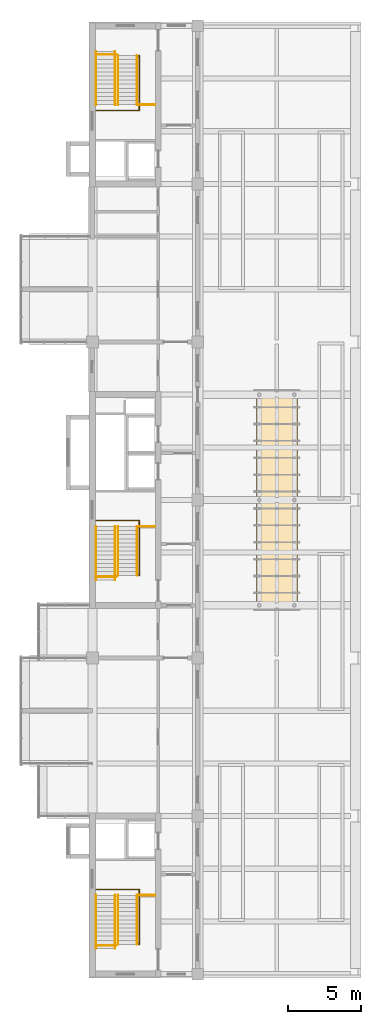
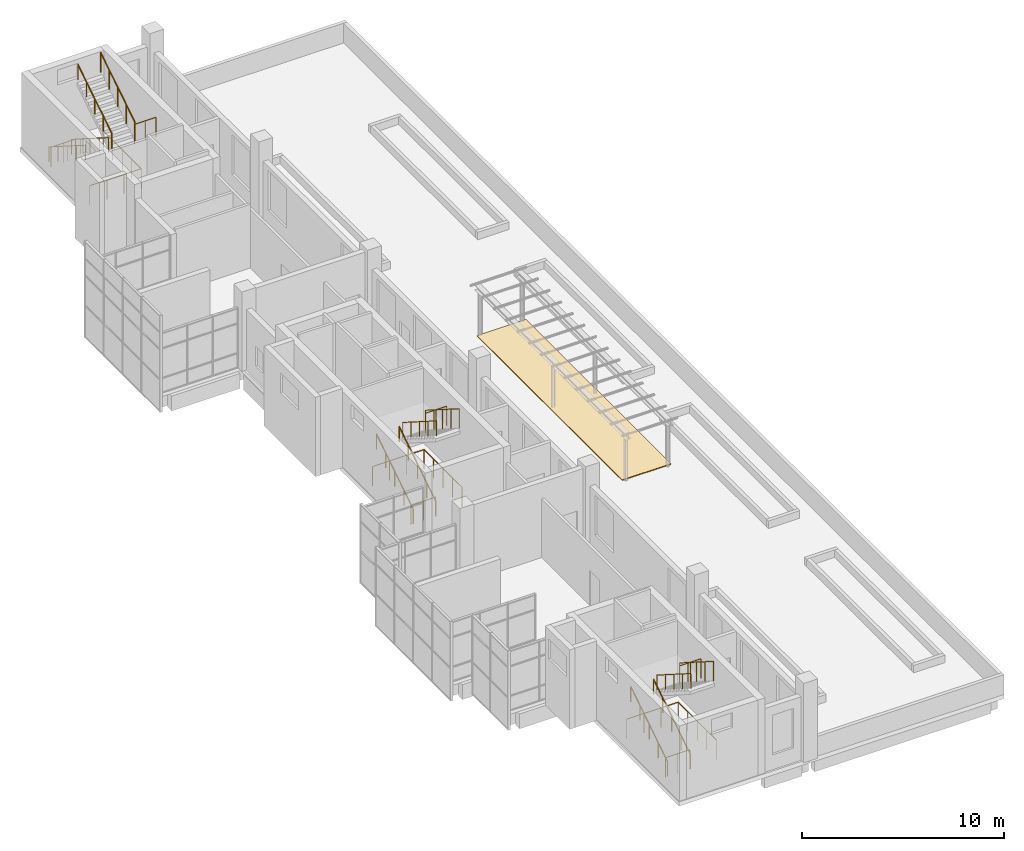
# One storey, part 16 of 16: 21 railings, 1 covering.
"""IFC4 building model written with IfcOpenShell, lengths in metres."""

from ifc_helpers import new_model, si_unit, direction, frame, origin, origin_2d, place, context, subcontext, project, spatial, polyline, circle, outline, extrude, material, layer, layer_set, type_object, element, save


model = new_model("IFC4")

# Units and contexts
model_context = context("Model", 3, precision=1e-05, world=origin(), true_north=direction((0.0, 1.0)))
body_context = subcontext(model_context, "Body", "Model", "MODEL_VIEW")
ifc_project = project(units=[si_unit("LENGTHUNIT", "METRE"), si_unit("AREAUNIT", "SQUARE_METRE"), si_unit("VOLUMEUNIT", "CUBIC_METRE"), si_unit("PLANEANGLEUNIT", "RADIAN"), si_unit("MASSUNIT", "GRAM", prefix="KILO")], contexts=[model_context])

# Site, building, storey
site_placement = place(None, origin())
site = spatial("IfcSite", under=ifc_project, at=site_placement, CompositionType="ELEMENT")
building_placement = place(site_placement, origin())
building = spatial("IfcBuilding", under=site, at=building_placement, Name="Basin Gate Institute", CompositionType="ELEMENT")
storey_placement = place(building_placement, frame((0.0, 0.0, 65.39990234375)))
storey = spatial("IfcBuildingStorey", under=building, at=storey_placement, Name="L13", CompositionType="ELEMENT", Elevation=65.39990234375)

# Covering
ifc_material_1 = material(Name="Concrete paving slabs", Category="concrete")
ifc_layer = layer(ifc_material_1, 0.050048828125)
ifc_layer_set = layer_set([ifc_layer], Name="Concrete paving slabs")
covering_type = type_object("IfcCoveringType", Name="Roof paving PV2", PredefinedType="FLOORING", material=ifc_layer_set)
covering_placement = place(storey_placement, origin())
element("IfcCovering", 1, at=covering_placement, inside=storey, type_object=covering_type, material=ifc_layer_set, Name="Roof paving W seating zone", PredefinedType="FLOORING", context=body_context, shape_type="SweptSolid", body=[
    extrude(outline(polyline([(72.39990234375, 60.300048828125), (75.199951171875, 60.300048828125), (75.199951171875, 74.699951171875), (72.39990234375, 74.699951171875), (72.39990234375, 60.300048828125)])), origin(), (0.0, 0.0, 1.0), 0.050048828125),
])

# Railings
ifc_material_2 = material(Name="Stainless steel", Category="steel")
railing_type_1 = type_object("IfcRailingType", Name="Stair guard GR2", PredefinedType="GUARDRAIL", material=ifc_material_2)
railing_1_placement = place(storey_placement, frame((64.39990234375, 37.1298828125, 0.0)))
element("IfcRailing", 2, at=railing_1_placement, inside=storey, type_object=railing_type_1, material=ifc_material_2, Name="Stair guard GR2 WS GD3-L12", PredefinedType="GUARDRAIL", context=body_context, shape_type="SweptSolid", body=[
    extrude(circle(Radius=0.02392578125, at=origin_2d()), frame((0.0, 0.0, 1.17578125), z_axis=(0.0, 1.0, 0.0), x_axis=(-1.0, 0.0, 0.0)), (0.0, 0.0, 1.0), 3.760009765625),
    extrude(circle(Radius=0.02392578125, at=origin_2d()), frame((0.0, 3.760009765625, 1.17578125), z_axis=(-1.0, 0.0, 0.0), x_axis=(0.0, -1.0, 0.0)), (0.0, 0.0, 1.0), 2.949951171875),
    extrude(circle(Radius=0.02099609375, at=origin_2d()), origin(), (0.0, 0.0, 1.0), 1.15185546875),
    extrude(circle(Radius=0.02099609375, at=origin_2d()), frame((0.0, 0.93994140625, 0.0)), (0.0, 0.0, 1.0), 1.15185546875),
    extrude(circle(Radius=0.02099609375, at=origin_2d()), frame((0.0, 1.8798828125, 0.0)), (0.0, 0.0, 1.0), 1.15185546875),
    extrude(circle(Radius=0.02099609375, at=origin_2d()), frame((0.0, 2.820068359375, 0.0)), (0.0, 0.0, 1.0), 1.15185546875),
    extrude(circle(Radius=0.02099609375, at=origin_2d()), frame((0.0, 3.760009765625, 0.0)), (0.0, 0.0, 1.0), 1.15185546875),
    extrude(circle(Radius=0.02099609375, at=origin_2d()), frame((-0.9833984375, 3.760009765625, 0.0)), (0.0, 0.0, 1.0), 1.15185546875),
    extrude(circle(Radius=0.02099609375, at=origin_2d()), frame((-1.966552734375, 3.760009765625, 0.0)), (0.0, 0.0, 1.0), 1.15185546875),
    extrude(circle(Radius=0.02099609375, at=origin_2d()), frame((-2.949951171875, 3.760009765625, 0.0)), (0.0, 0.0, 1.0), 1.15185546875),
])
railing_2_placement = place(storey_placement, frame((61.449951171875, 37.050048828125, 0.0)))
element("IfcRailing", 3, at=railing_2_placement, inside=storey, type_object=railing_type_1, material=ifc_material_2, Name="Stair guard GR2 WS GD4-L12", PredefinedType="GUARDRAIL", context=body_context, shape_type="SweptSolid", body=[
    extrude(circle(Radius=0.02392578125, at=origin_2d()), frame((0.0, 0.0, 1.17578125), z_axis=(1.0, 0.0, 0.0), x_axis=(0.0, 1.0, 0.0)), (0.0, 0.0, 1.0), 1.400146484375),
    extrude(circle(Radius=0.02099609375, at=origin_2d()), origin(), (0.0, 0.0, 1.0), 1.15185546875),
    extrude(circle(Radius=0.02099609375, at=origin_2d()), frame((0.7001953125, 0.0, 0.0)), (0.0, 0.0, 1.0), 1.15185546875),
    extrude(circle(Radius=0.02099609375, at=origin_2d()), frame((1.400146484375, 0.0, 0.0)), (0.0, 0.0, 1.0), 1.15185546875),
])
railing_3_placement = place(storey_placement, frame((64.39990234375, 62.330078125, 0.0)))
element("IfcRailing", 4, at=railing_3_placement, inside=storey, type_object=railing_type_1, material=ifc_material_2, Name="Stair guard GR2 WM GD3-L12", PredefinedType="GUARDRAIL", context=body_context, shape_type="SweptSolid", body=[
    extrude(circle(Radius=0.02392578125, at=origin_2d()), frame((0.0, 0.0, 1.17578125), z_axis=(0.0, 1.0, 0.0), x_axis=(-1.0, 0.0, 0.0)), (0.0, 0.0, 1.0), 3.760009765625),
    extrude(circle(Radius=0.02392578125, at=origin_2d()), frame((0.0, 3.760009765625, 1.17578125), z_axis=(-1.0, 0.0, 0.0), x_axis=(0.0, -1.0, 0.0)), (0.0, 0.0, 1.0), 2.949951171875),
    extrude(circle(Radius=0.02099609375, at=origin_2d()), origin(), (0.0, 0.0, 1.0), 1.15185546875),
    extrude(circle(Radius=0.02099609375, at=origin_2d()), frame((0.0, 0.93994140625, 0.0)), (0.0, 0.0, 1.0), 1.15185546875),
    extrude(circle(Radius=0.02099609375, at=origin_2d()), frame((0.0, 1.8798828125, 0.0)), (0.0, 0.0, 1.0), 1.15185546875),
    extrude(circle(Radius=0.02099609375, at=origin_2d()), frame((0.0, 2.820068359375, 0.0)), (0.0, 0.0, 1.0), 1.15185546875),
    extrude(circle(Radius=0.02099609375, at=origin_2d()), frame((0.0, 3.760009765625, 0.0)), (0.0, 0.0, 1.0), 1.15185546875),
    extrude(circle(Radius=0.02099609375, at=origin_2d()), frame((-0.9833984375, 3.760009765625, 0.0)), (0.0, 0.0, 1.0), 1.15185546875),
    extrude(circle(Radius=0.02099609375, at=origin_2d()), frame((-1.966552734375, 3.760009765625, 0.0)), (0.0, 0.0, 1.0), 1.15185546875),
    extrude(circle(Radius=0.02099609375, at=origin_2d()), frame((-2.949951171875, 3.760009765625, 0.0)), (0.0, 0.0, 1.0), 1.15185546875),
])
railing_4_placement = place(storey_placement, frame((61.449951171875, 62.25, 0.0)))
element("IfcRailing", 5, at=railing_4_placement, inside=storey, type_object=railing_type_1, material=ifc_material_2, Name="Stair guard GR2 WM GD4-L12", PredefinedType="GUARDRAIL", context=body_context, shape_type="SweptSolid", body=[
    extrude(circle(Radius=0.02392578125, at=origin_2d()), frame((0.0, 0.0, 1.17578125), z_axis=(1.0, 0.0, 0.0), x_axis=(0.0, 1.0, 0.0)), (0.0, 0.0, 1.0), 1.400146484375),
    extrude(circle(Radius=0.02099609375, at=origin_2d()), origin(), (0.0, 0.0, 1.0), 1.15185546875),
    extrude(circle(Radius=0.02099609375, at=origin_2d()), frame((0.7001953125, 0.0, 0.0)), (0.0, 0.0, 1.0), 1.15185546875),
    extrude(circle(Radius=0.02099609375, at=origin_2d()), frame((1.400146484375, 0.0, 0.0)), (0.0, 0.0, 1.0), 1.15185546875),
])
railing_5_placement = place(storey_placement, frame((64.39990234375, 97.8701171875, 0.0)))
element("IfcRailing", 6, at=railing_5_placement, inside=storey, type_object=railing_type_1, material=ifc_material_2, Name="Stair guard GR2 WN GD3-L12", PredefinedType="GUARDRAIL", context=body_context, shape_type="SweptSolid", body=[
    extrude(circle(Radius=0.02392578125, at=origin_2d()), frame((0.0, 0.0, 1.17578125), z_axis=(0.0, -1.0, 0.0), x_axis=(1.0, 0.0, 0.0)), (0.0, 0.0, 1.0), 3.760009765625),
    extrude(circle(Radius=0.02392578125, at=origin_2d()), frame((0.0, -3.760009765625, 1.17578125), z_axis=(-1.0, 0.0, 0.0), x_axis=(0.0, -1.0, 0.0)), (0.0, 0.0, 1.0), 2.949951171875),
    extrude(circle(Radius=0.02099609375, at=origin_2d()), origin(), (0.0, 0.0, 1.0), 1.15185546875),
    extrude(circle(Radius=0.02099609375, at=origin_2d()), frame((0.0, -0.93994140625, 0.0)), (0.0, 0.0, 1.0), 1.15185546875),
    extrude(circle(Radius=0.02099609375, at=origin_2d()), frame((0.0, -1.8798828125, 0.0)), (0.0, 0.0, 1.0), 1.15185546875),
    extrude(circle(Radius=0.02099609375, at=origin_2d()), frame((0.0, -2.820068359375, 0.0)), (0.0, 0.0, 1.0), 1.15185546875),
    extrude(circle(Radius=0.02099609375, at=origin_2d()), frame((0.0, -3.760009765625, 0.0)), (0.0, 0.0, 1.0), 1.15185546875),
    extrude(circle(Radius=0.02099609375, at=origin_2d()), frame((-0.9833984375, -3.760009765625, 0.0)), (0.0, 0.0, 1.0), 1.15185546875),
    extrude(circle(Radius=0.02099609375, at=origin_2d()), frame((-1.966552734375, -3.760009765625, 0.0)), (0.0, 0.0, 1.0), 1.15185546875),
    extrude(circle(Radius=0.02099609375, at=origin_2d()), frame((-2.949951171875, -3.760009765625, 0.0)), (0.0, 0.0, 1.0), 1.15185546875),
])
railing_6_placement = place(storey_placement, frame((61.449951171875, 97.949951171875, 0.0)))
element("IfcRailing", 7, at=railing_6_placement, inside=storey, type_object=railing_type_1, material=ifc_material_2, Name="Stair guard GR2 WN GD4-L12", PredefinedType="GUARDRAIL", context=body_context, shape_type="SweptSolid", body=[
    extrude(circle(Radius=0.02392578125, at=origin_2d()), frame((0.0, 0.0, 1.17578125), z_axis=(1.0, 0.0, 0.0), x_axis=(0.0, 1.0, 0.0)), (0.0, 0.0, 1.0), 1.400146484375),
    extrude(circle(Radius=0.02099609375, at=origin_2d()), origin(), (0.0, 0.0, 1.0), 1.15185546875),
    extrude(circle(Radius=0.02099609375, at=origin_2d()), frame((0.7001953125, 0.0, 0.0)), (0.0, 0.0, 1.0), 1.15185546875),
    extrude(circle(Radius=0.02099609375, at=origin_2d()), frame((1.400146484375, 0.0, 0.0)), (0.0, 0.0, 1.0), 1.15185546875),
])
railing_7_placement = place(storey_placement, frame((64.25, 40.489990234375, 2.666748046875)))
element("IfcRailing", 8, at=railing_7_placement, inside=storey, type_object=railing_type_1, material=ifc_material_2, Name="Stair guard GR2 WS GD1", PredefinedType="GUARDRAIL", context=body_context, shape_type="SweptSolid", body=[
    extrude(circle(Radius=0.02392578125, at=origin_2d()), frame((0.0, 0.0, 1.17578125), z_axis=(0.0, -0.844224270207, 0.535990094679), x_axis=(1.0, 0.0, 0.0)), (0.0, 0.0, 1.0), 3.980224609375),
    extrude(circle(Radius=0.02099609375, at=origin_2d()), origin(), (0.0, 0.0, 1.0), 1.15185546875),
    extrude(circle(Radius=0.02099609375, at=origin_2d()), frame((0.0, -0.840087890625, 0.533203125)), (0.0, 0.0, 1.0), 1.15185546875),
    extrude(circle(Radius=0.02099609375, at=origin_2d()), frame((0.0, -1.68017578125, 1.066650390625)), (0.0, 0.0, 1.0), 1.15185546875),
    extrude(circle(Radius=0.02099609375, at=origin_2d()), frame((0.0, -2.52001953125, 1.60009765625)), (0.0, 0.0, 1.0), 1.15185546875),
    extrude(circle(Radius=0.02099609375, at=origin_2d()), frame((0.0, -3.360107421875, 2.13330078125)), (0.0, 0.0, 1.0), 1.15185546875),
])
railing_8_placement = place(storey_placement, frame((64.25, 40.489990234375, 2.489013671875)))
element("IfcRailing", 9, at=railing_8_placement, inside=storey, type_object=railing_type_1, material=ifc_material_2, Name="Stair guard GR2 WS GD2", PredefinedType="GUARDRAIL", context=body_context, shape_type="SweptSolid", body=[
    extrude(circle(Radius=0.02392578125, at=origin_2d()), frame((0.0, 0.0, 1.17578125), z_axis=(1.0, 0.0, 0.0), x_axis=(0.0, 1.0, 0.0)), (0.0, 0.0, 1.0), 1.219970703125),
    extrude(circle(Radius=0.02099609375, at=origin_2d()), origin(), (0.0, 0.0, 1.0), 1.15185546875),
    extrude(circle(Radius=0.02099609375, at=origin_2d()), frame((0.60986328125, 0.0, 0.0)), (0.0, 0.0, 1.0), 1.15185546875),
    extrude(circle(Radius=0.02099609375, at=origin_2d()), frame((1.219970703125, 0.0, 0.0)), (0.0, 0.0, 1.0), 1.15185546875),
])
railing_9_placement = place(storey_placement, frame((64.25, 65.68994140625, 2.666748046875)))
element("IfcRailing", 10, at=railing_9_placement, inside=storey, type_object=railing_type_1, material=ifc_material_2, Name="Stair guard GR2 WM GD1", PredefinedType="GUARDRAIL", context=body_context, shape_type="SweptSolid", body=[
    extrude(circle(Radius=0.02392578125, at=origin_2d()), frame((0.0, 0.0, 1.17578125), z_axis=(0.0, -0.844206646714, 0.536017851983), x_axis=(1.0, 0.0, 0.0)), (0.0, 0.0, 1.0), 3.97998046875),
    extrude(circle(Radius=0.02099609375, at=origin_2d()), origin(), (0.0, 0.0, 1.0), 1.15185546875),
    extrude(circle(Radius=0.02099609375, at=origin_2d()), frame((0.0, -0.83984375, 0.533203125)), (0.0, 0.0, 1.0), 1.15185546875),
    extrude(circle(Radius=0.02099609375, at=origin_2d()), frame((0.0, -1.679931640625, 1.066650390625)), (0.0, 0.0, 1.0), 1.15185546875),
    extrude(circle(Radius=0.02099609375, at=origin_2d()), frame((0.0, -2.52001953125, 1.60009765625)), (0.0, 0.0, 1.0), 1.15185546875),
    extrude(circle(Radius=0.02099609375, at=origin_2d()), frame((0.0, -3.35986328125, 2.13330078125)), (0.0, 0.0, 1.0), 1.15185546875),
])
railing_10_placement = place(storey_placement, frame((64.25, 65.68994140625, 2.489013671875)))
element("IfcRailing", 11, at=railing_10_placement, inside=storey, type_object=railing_type_1, material=ifc_material_2, Name="Stair guard GR2 WM GD2", PredefinedType="GUARDRAIL", context=body_context, shape_type="SweptSolid", body=[
    extrude(circle(Radius=0.02392578125, at=origin_2d()), frame((0.0, 0.0, 1.17578125), z_axis=(1.0, 0.0, 0.0), x_axis=(0.0, 1.0, 0.0)), (0.0, 0.0, 1.0), 1.219970703125),
    extrude(circle(Radius=0.02099609375, at=origin_2d()), origin(), (0.0, 0.0, 1.0), 1.15185546875),
    extrude(circle(Radius=0.02099609375, at=origin_2d()), frame((0.60986328125, 0.0, 0.0)), (0.0, 0.0, 1.0), 1.15185546875),
    extrude(circle(Radius=0.02099609375, at=origin_2d()), frame((1.219970703125, 0.0, 0.0)), (0.0, 0.0, 1.0), 1.15185546875),
])
railing_11_placement = place(storey_placement, frame((64.25, 94.510009765625, 2.666748046875)))
element("IfcRailing", 12, at=railing_11_placement, inside=storey, type_object=railing_type_1, material=ifc_material_2, Name="Stair guard GR2 WN GD1", PredefinedType="GUARDRAIL", context=body_context, shape_type="SweptSolid", body=[
    extrude(circle(Radius=0.02392578125, at=origin_2d()), frame((0.0, 0.0, 1.17578125), z_axis=(0.0, 0.844224270207, 0.535990094679), x_axis=(-1.0, 0.0, 0.0)), (0.0, 0.0, 1.0), 3.980224609375),
    extrude(circle(Radius=0.02099609375, at=origin_2d()), origin(), (0.0, 0.0, 1.0), 1.15185546875),
    extrude(circle(Radius=0.02099609375, at=origin_2d()), frame((0.0, 0.840087890625, 0.533203125)), (0.0, 0.0, 1.0), 1.15185546875),
    extrude(circle(Radius=0.02099609375, at=origin_2d()), frame((0.0, 1.68017578125, 1.066650390625)), (0.0, 0.0, 1.0), 1.15185546875),
    extrude(circle(Radius=0.02099609375, at=origin_2d()), frame((0.0, 2.52001953125, 1.60009765625)), (0.0, 0.0, 1.0), 1.15185546875),
    extrude(circle(Radius=0.02099609375, at=origin_2d()), frame((0.0, 3.360107421875, 2.13330078125)), (0.0, 0.0, 1.0), 1.15185546875),
])
railing_12_placement = place(storey_placement, frame((64.25, 94.510009765625, 2.489013671875)))
element("IfcRailing", 13, at=railing_12_placement, inside=storey, type_object=railing_type_1, material=ifc_material_2, Name="Stair guard GR2 WN GD2", PredefinedType="GUARDRAIL", context=body_context, shape_type="SweptSolid", body=[
    extrude(circle(Radius=0.02392578125, at=origin_2d()), frame((0.0, 0.0, 1.17578125), z_axis=(1.0, 0.0, 0.0), x_axis=(0.0, 1.0, 0.0)), (0.0, 0.0, 1.0), 1.219970703125),
    extrude(circle(Radius=0.02099609375, at=origin_2d()), origin(), (0.0, 0.0, 1.0), 1.15185546875),
    extrude(circle(Radius=0.02099609375, at=origin_2d()), frame((0.60986328125, 0.0, 0.0)), (0.0, 0.0, 1.0), 1.15185546875),
    extrude(circle(Radius=0.02099609375, at=origin_2d()), frame((1.219970703125, 0.0, 0.0)), (0.0, 0.0, 1.0), 1.15185546875),
])
ifc_material_3 = material(Name="Stainless steel", Category="steel")
railing_type_2 = type_object("IfcRailingType", Name="Stair handrail HR1", PredefinedType="HANDRAIL", material=ifc_material_3)
for number, where, name in (
    (14, (61.449951171875, 36.85009765625, 0.177978515625), "Stair handrail HR1 WS HR1"),
    (15, (62.75, 36.85009765625, 0.177978515625), "Stair handrail HR1 WS HR2"),
):
    element("IfcRailing", number, at=place(storey_placement, frame(where)), inside=storey, type_object=railing_type_2, material=ifc_material_3, Name=name, PredefinedType="HANDRAIL", context=body_context, shape_type="SweptSolid", body=[
        extrude(circle(Radius=0.02392578125, at=origin_2d()), frame((0.0, 0.0, 0.89599609375), z_axis=(0.0, 0.84421362867, 0.536006855523), x_axis=(-1.0, 0.0, 0.0)), (0.0, 0.0, 1.0), 4.3115234375),
        extrude(circle(Radius=0.02099609375, at=origin_2d()), origin(), (0.0, 0.0, 1.0), 0.871826171875),
        extrude(circle(Radius=0.02099609375, at=origin_2d()), frame((0.0, 0.909912109375, 0.57763671875)), (0.0, 0.0, 1.0), 0.871826171875),
        extrude(circle(Radius=0.02099609375, at=origin_2d()), frame((0.0, 1.81982421875, 1.155517578125)), (0.0, 0.0, 1.0), 0.871826171875),
        extrude(circle(Radius=0.02099609375, at=origin_2d()), frame((0.0, 2.72998046875, 1.7333984375)), (0.0, 0.0, 1.0), 0.871826171875),
        extrude(circle(Radius=0.02099609375, at=origin_2d()), frame((0.0, 3.639892578125, 2.31103515625)), (0.0, 0.0, 1.0), 0.871826171875),
    ])
railing_13_placement = place(storey_placement, frame((62.949951171875, 40.489990234375, 2.666748046875)))
element("IfcRailing", 16, at=railing_13_placement, inside=storey, type_object=railing_type_2, material=ifc_material_3, Name="Stair handrail HR1 WS HR3", PredefinedType="HANDRAIL", context=body_context, shape_type="SweptSolid", body=[
    extrude(circle(Radius=0.02392578125, at=origin_2d()), frame((0.0, 0.0, 0.89599609375), z_axis=(0.0, -0.844224270207, 0.535990094679), x_axis=(1.0, 0.0, 0.0)), (0.0, 0.0, 1.0), 3.980224609375),
    extrude(circle(Radius=0.02099609375, at=origin_2d()), origin(), (0.0, 0.0, 1.0), 0.871826171875),
    extrude(circle(Radius=0.02099609375, at=origin_2d()), frame((0.0, -0.840087890625, 0.533203125)), (0.0, 0.0, 1.0), 0.871826171875),
    extrude(circle(Radius=0.02099609375, at=origin_2d()), frame((0.0, -1.68017578125, 1.066650390625)), (0.0, 0.0, 1.0), 0.871826171875),
    extrude(circle(Radius=0.02099609375, at=origin_2d()), frame((0.0, -2.52001953125, 1.60009765625)), (0.0, 0.0, 1.0), 0.871826171875),
    extrude(circle(Radius=0.02099609375, at=origin_2d()), frame((0.0, -3.360107421875, 2.13330078125)), (0.0, 0.0, 1.0), 0.871826171875),
])
for number, where, name in (
    (17, (61.449951171875, 62.050048828125, 0.177978515625), "Stair handrail HR1 WM HR1"),
    (18, (62.75, 62.050048828125, 0.177978515625), "Stair handrail HR1 WM HR2"),
):
    element("IfcRailing", number, at=place(storey_placement, frame(where)), inside=storey, type_object=railing_type_2, material=ifc_material_3, Name=name, PredefinedType="HANDRAIL", context=body_context, shape_type="SweptSolid", body=[
        extrude(circle(Radius=0.02392578125, at=origin_2d()), frame((0.0, 0.0, 0.89599609375), z_axis=(0.0, 0.84421362867, 0.536006855523), x_axis=(-1.0, 0.0, 0.0)), (0.0, 0.0, 1.0), 4.3115234375),
        extrude(circle(Radius=0.02099609375, at=origin_2d()), origin(), (0.0, 0.0, 1.0), 0.871826171875),
        extrude(circle(Radius=0.02099609375, at=origin_2d()), frame((0.0, 0.909912109375, 0.57763671875)), (0.0, 0.0, 1.0), 0.871826171875),
        extrude(circle(Radius=0.02099609375, at=origin_2d()), frame((0.0, 1.81982421875, 1.155517578125)), (0.0, 0.0, 1.0), 0.871826171875),
        extrude(circle(Radius=0.02099609375, at=origin_2d()), frame((0.0, 2.72998046875, 1.7333984375)), (0.0, 0.0, 1.0), 0.871826171875),
        extrude(circle(Radius=0.02099609375, at=origin_2d()), frame((0.0, 3.639892578125, 2.31103515625)), (0.0, 0.0, 1.0), 0.871826171875),
    ])
railing_14_placement = place(storey_placement, frame((62.949951171875, 65.68994140625, 2.666748046875)))
element("IfcRailing", 19, at=railing_14_placement, inside=storey, type_object=railing_type_2, material=ifc_material_3, Name="Stair handrail HR1 WM HR3", PredefinedType="HANDRAIL", context=body_context, shape_type="SweptSolid", body=[
    extrude(circle(Radius=0.02392578125, at=origin_2d()), frame((0.0, 0.0, 0.89599609375), z_axis=(0.0, -0.844206646714, 0.536017851983), x_axis=(1.0, 0.0, 0.0)), (0.0, 0.0, 1.0), 3.97998046875),
    extrude(circle(Radius=0.02099609375, at=origin_2d()), origin(), (0.0, 0.0, 1.0), 0.871826171875),
    extrude(circle(Radius=0.02099609375, at=origin_2d()), frame((0.0, -0.83984375, 0.533203125)), (0.0, 0.0, 1.0), 0.871826171875),
    extrude(circle(Radius=0.02099609375, at=origin_2d()), frame((0.0, -1.679931640625, 1.066650390625)), (0.0, 0.0, 1.0), 0.871826171875),
    extrude(circle(Radius=0.02099609375, at=origin_2d()), frame((0.0, -2.52001953125, 1.60009765625)), (0.0, 0.0, 1.0), 0.871826171875),
    extrude(circle(Radius=0.02099609375, at=origin_2d()), frame((0.0, -3.35986328125, 2.13330078125)), (0.0, 0.0, 1.0), 0.871826171875),
])
for number, where, name in (
    (20, (61.449951171875, 98.14990234375, 0.177978515625), "Stair handrail HR1 WN HR1"),
    (21, (62.75, 98.14990234375, 0.177978515625), "Stair handrail HR1 WN HR2"),
):
    element("IfcRailing", number, at=place(storey_placement, frame(where)), inside=storey, type_object=railing_type_2, material=ifc_material_3, Name=name, PredefinedType="HANDRAIL", context=body_context, shape_type="SweptSolid", body=[
        extrude(circle(Radius=0.02392578125, at=origin_2d()), frame((0.0, 0.0, 0.89599609375), z_axis=(0.0, -0.84421362867, 0.536006855523), x_axis=(1.0, 0.0, 0.0)), (0.0, 0.0, 1.0), 4.3115234375),
        extrude(circle(Radius=0.02099609375, at=origin_2d()), origin(), (0.0, 0.0, 1.0), 0.871826171875),
        extrude(circle(Radius=0.02099609375, at=origin_2d()), frame((0.0, -0.909912109375, 0.57763671875)), (0.0, 0.0, 1.0), 0.871826171875),
        extrude(circle(Radius=0.02099609375, at=origin_2d()), frame((0.0, -1.81982421875, 1.155517578125)), (0.0, 0.0, 1.0), 0.871826171875),
        extrude(circle(Radius=0.02099609375, at=origin_2d()), frame((0.0, -2.72998046875, 1.7333984375)), (0.0, 0.0, 1.0), 0.871826171875),
        extrude(circle(Radius=0.02099609375, at=origin_2d()), frame((0.0, -3.639892578125, 2.31103515625)), (0.0, 0.0, 1.0), 0.871826171875),
    ])
railing_15_placement = place(storey_placement, frame((62.949951171875, 94.510009765625, 2.666748046875)))
element("IfcRailing", 22, at=railing_15_placement, inside=storey, type_object=railing_type_2, material=ifc_material_3, Name="Stair handrail HR1 WN HR3", PredefinedType="HANDRAIL", context=body_context, shape_type="SweptSolid", body=[
    extrude(circle(Radius=0.02392578125, at=origin_2d()), frame((0.0, 0.0, 0.89599609375), z_axis=(0.0, 0.844224270207, 0.535990094679), x_axis=(-1.0, 0.0, 0.0)), (0.0, 0.0, 1.0), 3.980224609375),
    extrude(circle(Radius=0.02099609375, at=origin_2d()), origin(), (0.0, 0.0, 1.0), 0.871826171875),
    extrude(circle(Radius=0.02099609375, at=origin_2d()), frame((0.0, 0.840087890625, 0.533203125)), (0.0, 0.0, 1.0), 0.871826171875),
    extrude(circle(Radius=0.02099609375, at=origin_2d()), frame((0.0, 1.68017578125, 1.066650390625)), (0.0, 0.0, 1.0), 0.871826171875),
    extrude(circle(Radius=0.02099609375, at=origin_2d()), frame((0.0, 2.52001953125, 1.60009765625)), (0.0, 0.0, 1.0), 0.871826171875),
    extrude(circle(Radius=0.02099609375, at=origin_2d()), frame((0.0, 3.360107421875, 2.13330078125)), (0.0, 0.0, 1.0), 0.871826171875),
])

save(model, "model.ifc")
